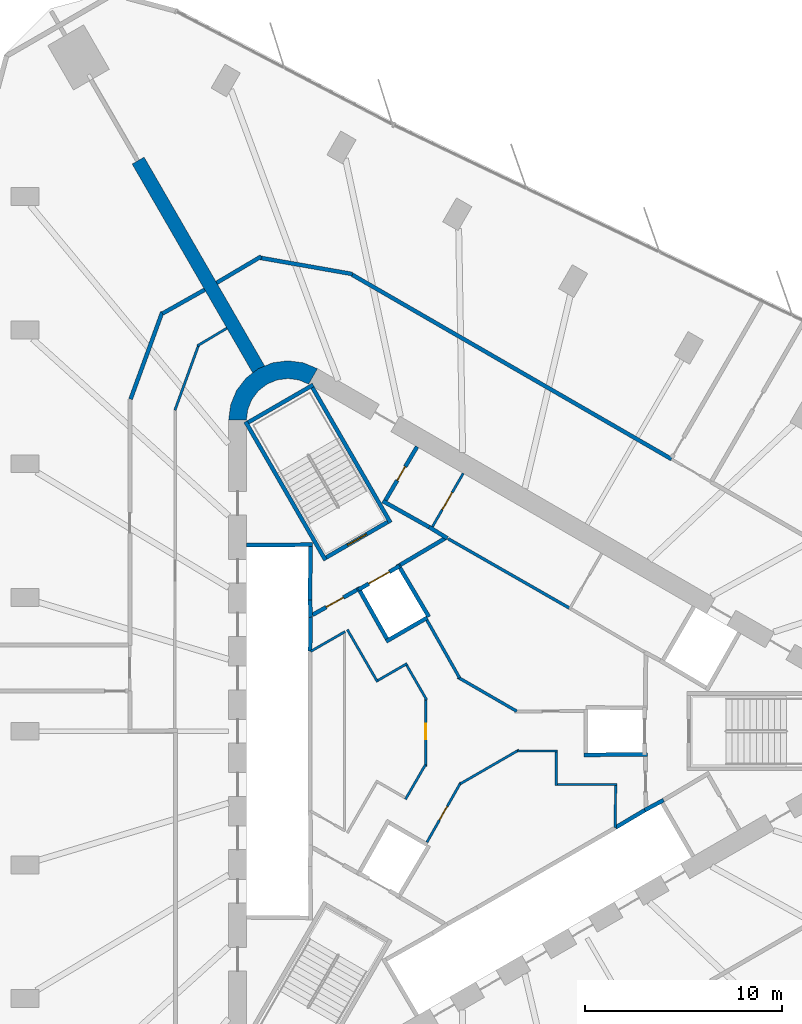
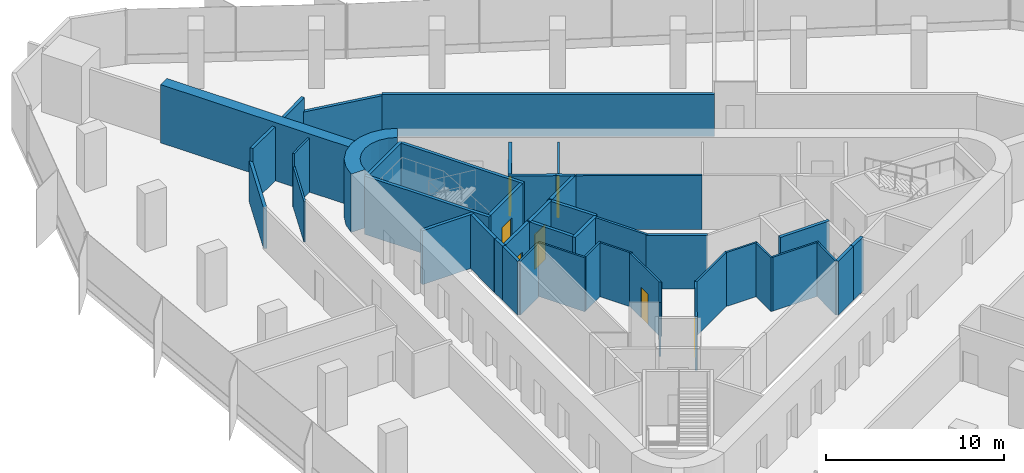
# One storey, part 10 of 13: 45 walls, 7 doors, 7 openings.
"""IFC4 building model written with IfcOpenShell, lengths in metres."""

from ifc_helpers import new_model, si_unit, direction, frame, frame_2d, origin, place, context, subcontext, project, spatial, polyline, rectangle, outline, extrude, material, layer, layer_set, type_object, element, fill, save


model = new_model("IFC4")

# Units and contexts
model_context = context("Model", 3, precision=1e-05, world=origin(), true_north=direction((0.0, 1.0)))
body_context = subcontext(model_context, "Body", "Model", "MODEL_VIEW")
ifc_project = project(units=[si_unit("LENGTHUNIT", "METRE"), si_unit("AREAUNIT", "SQUARE_METRE"), si_unit("VOLUMEUNIT", "CUBIC_METRE"), si_unit("PLANEANGLEUNIT", "RADIAN"), si_unit("MASSUNIT", "GRAM", prefix="KILO")], contexts=[model_context])

# Site, building, storey
site_placement = place(None, origin())
site = spatial("IfcSite", under=ifc_project, at=site_placement, CompositionType="ELEMENT")
building_placement = place(site_placement, origin())
building = spatial("IfcBuilding", under=site, at=building_placement, Name="Tanit Gate Tower", CompositionType="ELEMENT")
storey_placement = place(building_placement, frame((0.0, 0.0, 181.199951171875)))
storey = spatial("IfcBuildingStorey", under=building, at=storey_placement, Name="L39", CompositionType="ELEMENT", Elevation=181.199951171875)

# Walls
ifc_material_1 = material(Name="Concrete C50/60", Category="concrete")
ifc_layer_1 = layer(ifc_material_1, 0.699951171875)
ifc_layer_set_1 = layer_set([ifc_layer_1], Name="BUTTRESS FIN 700 C50/60")
wall_type_1 = type_object("IfcWallType", Name="BUTTRESS FIN 700 C50/60", PredefinedType="SHEAR", material=ifc_layer_set_1)
wall_1_placement = place(storey_placement, frame((-10.574951171875, 18.31640625, 0.0), z_axis=(0.0, 0.0, 1.0), x_axis=(-0.500002625756, 0.866023887798, 0.0)))
element("IfcWall", 1, at=wall_1_placement, inside=storey, type_object=wall_type_1, Name="BUTTRESS FIN", PredefinedType="SHEAR", context=body_context, shape_type="SweptSolid", body=[
    extrude(rectangle(XDim=12.2197265625, YDim=0.699951171875, at=frame_2d((6.10986328125, 0.0))), origin(), (0.0, 0.0, 1.0), 4.0),
])
ifc_material_2 = material(Name="Concrete C50/60", Category="concrete")
ifc_layer_2 = layer(ifc_material_2, 0.89990234375)
ifc_layer_set_2 = layer_set([ifc_layer_2], Name="CORE WALL 900 C50/60")
wall_type_2 = type_object("IfcWallType", Name="CORE WALL 900 C50/60", PredefinedType="SHEAR", material=ifc_layer_set_2)
wall_2_placement = place(storey_placement, origin())
element("IfcWall", 2, at=wall_2_placement, inside=storey, type_object=wall_type_2, Name="CORE WALL CORNER", PredefinedType="SHEAR", context=body_context, shape_type="SweptSolid", body=[
    extrude(outline(polyline([(-7.60009765625, 18.359619140625), (-8.323486328125, 18.659423828125), (-9.10009765625, 18.76171875), (-9.87646484375, 18.659423828125), (-10.60009765625, 18.359619140625), (-11.22119140625, 17.883056640625), (-11.697998046875, 17.26171875), (-11.997802734375, 16.5380859375), (-12.10009765625, 15.76171875), (-11.199951171875, 15.76171875), (-11.12841796875, 16.30517578125), (-10.918701171875, 16.811767578125), (-10.5849609375, 17.24658203125), (-10.14990234375, 17.580322265625), (-9.6435546875, 17.7900390625), (-9.10009765625, 17.86181640625), (-8.556396484375, 17.7900390625), (-8.050048828125, 17.580322265625), (-7.60009765625, 18.359619140625)])), origin(), (0.0, 0.0, 1.0), 4.0),
])
ifc_material_3 = material(Name="Fire-rated gypsum board partition")
ifc_layer_3 = layer(ifc_material_3, 0.199951171875)
ifc_layer_set_3 = layer_set([ifc_layer_3], Name="INT-WALL-COMPARTMENT")
wall_type_3 = type_object("IfcWallType", Name="INT-WALL-COMPARTMENT", PredefinedType="PARTITIONING", material=ifc_layer_set_3)
wall_3_placement = place(storey_placement, frame((-1.940673828125, 10.338623046875, 0.0), z_axis=(0.0, 0.0, 1.0), x_axis=(0.850216889117, -0.526432561171, 0.0)))
element("IfcWall", 3, at=wall_3_placement, inside=storey, type_object=wall_type_3, Name="Wall Compartment W053", PredefinedType="PARTITIONING", context=body_context, shape_type="SweptSolid", body=[
    extrude(rectangle(XDim=1.078369140625, YDim=0.199951171875, at=frame_2d((0.5390625, 0.0))), origin(), (0.0, 0.0, 1.0), 3.699951171875),
])
wall_4_placement = place(storey_placement, frame((-4.296142578125, 11.658935546875, 0.0), z_axis=(0.0, 0.0, 1.0), x_axis=(0.871534483978, -0.490334215854, 0.0)))
element("IfcWall", 4, at=wall_4_placement, inside=storey, type_object=wall_type_3, Name="Wall Compartment W055", PredefinedType="PARTITIONING", context=body_context, shape_type="SweptSolid", body=[
    extrude(rectangle(XDim=2.7001953125, YDim=0.199951171875, at=frame_2d((1.35009765625, 0.0))), origin(), (0.0, 0.0, 1.0), 3.699951171875),
])

# Wall, opening, door
wall_5_placement = place(storey_placement, frame((-2.557861328125, 14.409423828125, 0.0), z_axis=(0.0, 0.0, 1.0), x_axis=(-0.508018930956, -0.861345903683, 0.0)))
wall_5 = element("IfcWall", 5, at=wall_5_placement, inside=storey, type_object=wall_type_3, Name="Wall Compartment W056", PredefinedType="PARTITIONING", context=body_context, shape_type="SweptSolid", body=[
    extrude(rectangle(XDim=3.150146484375, YDim=0.199951171875, at=frame_2d((1.5751953125, 0.0))), origin(), (0.0, 0.0, 1.0), 3.699951171875),
])
opening_1_placement = place(wall_5_placement, frame((1.175048828125, 0.0, 0.0)))
opening_1 = element("IfcOpeningElement", 6, at=opening_1_placement, cuts=wall_5, Name="Opening R08-S10-15", PredefinedType="OPENING", context=body_context, shape_type="SweptSolid", body=[
    extrude(rectangle(XDim=0.800048828125, YDim=2.10009765625, at=frame_2d((0.39990234375, 1.050048828125))), frame((0.0, 0.10986328125, 0.0), z_axis=(0.0, -1.0, 0.0), x_axis=(1.0, 0.0, 0.0)), (0.0, 0.0, 1.0), 0.219970703125),
])
ifc_material_4 = material(Name="Timber door leaf", Category="wood")
door_type_1 = type_object("IfcDoorType", Name="INT-DOOR-RISER-800", OperationType="NOTDEFINED", PredefinedType="USERDEFINED", material=ifc_material_4)
door_1_placement = place(opening_1_placement, origin())
door_1 = element("IfcDoor", 7, at=door_1_placement, inside=storey, type_object=door_type_1, Name="Door R08-S10-15", ObjectType="FIRE DOOR", OperationType="SINGLE_SWING_RIGHT", OverallHeight=2.10009765625, OverallWidth=0.800048828125, PredefinedType="USERDEFINED", context=body_context, shape_type="SweptSolid", body=[
    extrude(rectangle(XDim=0.800048828125, YDim=2.10009765625, at=frame_2d((0.39990234375, 1.050048828125))), frame((0.0, 0.02490234375, 0.0), z_axis=(0.0, -1.0, 0.0), x_axis=(1.0, 0.0, 0.0)), (0.0, 0.0, 1.0), 0.050048828125),
])
fill(opening_1, door_1)

# Wall
wall_6_placement = place(storey_placement, frame((-1.0546875, 9.818359375, 0.0), z_axis=(0.0, 0.0, 1.0), x_axis=(-0.860614334655, -0.50925726994, 0.0)))
element("IfcWall", 8, at=wall_6_placement, inside=storey, type_object=wall_type_3, Name="Wall Compartment W061", PredefinedType="PARTITIONING", context=body_context, shape_type="SweptSolid", body=[
    extrude(rectangle(XDim=2.725830078125, YDim=0.199951171875, at=frame_2d((1.36279296875, 0.0))), origin(), (0.0, 0.0, 1.0), 3.699951171875),
])

# Wall, opening, door
wall_7_placement = place(storey_placement, frame((-5.600341796875, 7.16015625, 0.0), z_axis=(0.0, 0.0, 1.0), x_axis=(-0.871363259478, -0.490638431059, 0.0)))
wall_7 = element("IfcWall", 9, at=wall_7_placement, inside=storey, type_object=wall_type_3, Name="Wall Compartment W062", PredefinedType="PARTITIONING", context=body_context, shape_type="SweptSolid", body=[
    extrude(rectangle(XDim=2.5810546875, YDim=0.199951171875, at=frame_2d((1.29052734375, 0.0))), origin(), (0.0, 0.0, 1.0), 3.699951171875),
])
opening_2_placement = place(wall_7_placement, frame((0.79052734375, 0.0, 0.0)))
opening_2 = element("IfcOpeningElement", 10, at=opening_2_placement, cuts=wall_7, Name="Opening F10-S10-05", PredefinedType="OPENING", context=body_context, shape_type="SweptSolid", body=[
    extrude(rectangle(XDim=1.0, YDim=2.10009765625, at=frame_2d((0.5, 1.050048828125))), frame((0.0, 0.10986328125, 0.0), z_axis=(0.0, -1.0, 0.0), x_axis=(1.0, 0.0, 0.0)), (0.0, 0.0, 1.0), 0.219970703125),
])
ifc_material_5 = material(Name="Fire-rated steel door leaf", Category="steel")
door_type_2 = type_object("IfcDoorType", Name="INT-DOOR-FIRE-1000", OperationType="NOTDEFINED", PredefinedType="USERDEFINED", material=ifc_material_5)
door_2_placement = place(opening_2_placement, origin())
door_2 = element("IfcDoor", 11, at=door_2_placement, inside=storey, type_object=door_type_2, Name="Door F10-S10-05", ObjectType="FIRE DOOR", OperationType="SINGLE_SWING_LEFT", OverallHeight=2.10009765625, OverallWidth=1.0, PredefinedType="USERDEFINED", context=body_context, shape_type="SweptSolid", body=[
    extrude(rectangle(XDim=1.0, YDim=2.10009765625, at=frame_2d((0.5, 1.050048828125))), frame((0.0, 0.02490234375, 0.0), z_axis=(0.0, -1.0, 0.0), x_axis=(1.0, 0.0, 0.0)), (0.0, 0.0, 1.0), 0.050048828125),
])
fill(opening_2, door_2)

# Walls
wall_8_placement = place(storey_placement, frame((-15.456298828125, 21.238525390625, 0.0), z_axis=(0.0, 0.0, 1.0), x_axis=(-0.34205546997, -0.939679762187, 0.0)))
element("IfcWall", 12, at=wall_8_placement, inside=storey, type_object=wall_type_3, Name="Wall Compartment W091", PredefinedType="PARTITIONING", context=body_context, shape_type="SweptSolid", body=[
    extrude(rectangle(XDim=4.705810546875, YDim=0.199951171875, at=frame_2d((2.35302734375, 0.0))), origin(), (0.0, 0.0, 1.0), 2.780029296875),
])
wall_9_placement = place(storey_placement, frame((-13.31298828125, 22.35888671875, 0.0), z_axis=(0.0, 0.0, 1.0), x_axis=(-0.87121710687, -0.490897904555, 0.0)))
element("IfcWall", 13, at=wall_9_placement, inside=storey, type_object=wall_type_3, Name="Wall Compartment W092", PredefinedType="PARTITIONING", context=body_context, shape_type="SweptSolid", body=[
    extrude(rectangle(XDim=2.457275390625, YDim=0.199951171875, at=frame_2d((1.228515625, 0.0))), origin(), (0.0, 0.0, 1.0), 3.699951171875),
])
wall_10_placement = place(storey_placement, frame((-10.449462890625, 24.0439453125, 0.0), z_axis=(0.0, 0.0, 1.0), x_axis=(-0.860744847861, -0.509036645912, 0.0)))
element("IfcWall", 14, at=wall_10_placement, inside=storey, type_object=wall_type_3, Name="Wall Compartment W097", PredefinedType="PARTITIONING", context=body_context, shape_type="SweptSolid", body=[
    extrude(rectangle(XDim=2.62255859375, YDim=0.199951171875, at=frame_2d((1.311279296875, 0.0))), origin(), (0.0, 0.0, 1.0), 3.699951171875),
])
wall_11_placement = place(storey_placement, frame((-5.833740234375, 23.153076171875, 0.0), z_axis=(0.0, 0.0, 1.0), x_axis=(-0.98481258102, 0.173620794447, 0.0)))
element("IfcWall", 15, at=wall_11_placement, inside=storey, type_object=wall_type_3, Name="Wall Compartment W098", PredefinedType="PARTITIONING", context=body_context, shape_type="SweptSolid", body=[
    extrude(rectangle(XDim=4.740234375, YDim=0.199951171875, at=frame_2d((2.3701171875, 0.0))), origin(), (0.0, 0.0, 1.0), 2.780029296875),
])
wall_12_placement = place(storey_placement, frame((10.325439453125, 13.783935546875, 0.0), z_axis=(0.0, 0.0, 1.0), x_axis=(-0.866025119466, 0.500000492453, 0.0)))
element("IfcWall", 16, at=wall_12_placement, inside=storey, type_object=wall_type_3, Name="Wall Compartment W099", PredefinedType="PARTITIONING", context=body_context, shape_type="SweptSolid", body=[
    extrude(rectangle(XDim=18.6728515625, YDim=0.199951171875, at=frame_2d((9.33642578125, 0.0))), origin(), (0.0, 0.0, 1.0), 2.880126953125),
])

# Wall, opening, door
ifc_material_6 = material(Name="Gypsum board partition")
ifc_layer_4 = layer(ifc_material_6, 0.1201171875)
ifc_layer_set_4 = layer_set([ifc_layer_4], Name="INT-WALL-PARTITION")
wall_type_4 = type_object("IfcWallType", Name="INT-WALL-PARTITION", PredefinedType="PARTITIONING", material=ifc_layer_set_4)
wall_13_placement = place(storey_placement, frame((-0.2197265625, 13.0595703125, 0.0), z_axis=(0.0, 0.0, 1.0), x_axis=(-0.499984717929, -0.866034226713, 0.0)))
wall_13 = element("IfcWall", 17, at=wall_13_placement, inside=storey, type_object=wall_type_4, Name="Wall Partition W052", PredefinedType="PARTITIONING", context=body_context, shape_type="SweptSolid", body=[
    extrude(rectangle(XDim=3.25, YDim=0.1201171875, at=frame_2d((1.625, 0.0))), origin(), (0.0, 0.0, 1.0), 3.699951171875),
])
opening_3_placement = place(wall_13_placement, frame((1.125, 0.0, 0.0)))
opening_3 = element("IfcOpeningElement", 18, at=opening_3_placement, cuts=wall_13, Name="Opening D10-S10-31", PredefinedType="OPENING", context=body_context, shape_type="SweptSolid", body=[
    extrude(rectangle(XDim=1.0, YDim=2.10009765625, at=frame_2d((0.5, 1.050048828125))), frame((0.0, 0.070068359375, 0.0), z_axis=(0.0, -1.0, 0.0), x_axis=(1.0, 0.0, 0.0)), (0.0, 0.0, 1.0), 0.14013671875),
])
ifc_material_7 = material(Name="Timber door leaf", Category="wood")
door_type_3 = type_object("IfcDoorType", Name="INT-DOOR-SINGLE-1000", OperationType="NOTDEFINED", PredefinedType="NOTDEFINED", material=ifc_material_7)
door_3_placement = place(opening_3_placement, origin())
door_3 = element("IfcDoor", 19, at=door_3_placement, inside=storey, type_object=door_type_3, Name="Door D10-S10-31", OperationType="SINGLE_SWING_LEFT", OverallHeight=2.10009765625, OverallWidth=1.0, PredefinedType="NOTDEFINED", context=body_context, shape_type="SweptSolid", body=[
    extrude(rectangle(XDim=1.0, YDim=2.10009765625, at=frame_2d((0.5, 1.050048828125))), frame((0.0, 0.02490234375, 0.0), z_axis=(0.0, -1.0, 0.0), x_axis=(1.0, 0.0, 0.0)), (0.0, 0.0, 1.0), 0.050048828125),
])
fill(opening_3, door_3)

wall_14_placement = place(storey_placement, frame((-0.339599609375, -2.58642578125, 0.0), z_axis=(0.0, 0.0, 1.0), x_axis=(-0.492647196214, -0.870229130782, 0.0)))
wall_14 = element("IfcWall", 20, at=wall_14_placement, inside=storey, type_object=wall_type_4, Name="Wall Partition W068", PredefinedType="PARTITIONING", context=body_context, shape_type="SweptSolid", body=[
    extrude(rectangle(XDim=3.490234375, YDim=0.1201171875, at=frame_2d((1.7451171875, 0.0))), origin(), (0.0, 0.0, 1.0), 3.699951171875),
])
opening_4_placement = place(wall_14_placement, frame((1.396240234375, 0.0, 0.0)))
opening_4 = element("IfcOpeningElement", 21, at=opening_4_placement, cuts=wall_14, Name="Opening R08-S10-11", PredefinedType="OPENING", context=body_context, shape_type="SweptSolid", body=[
    extrude(rectangle(XDim=0.800048828125, YDim=2.10009765625, at=frame_2d((0.39990234375, 1.050048828125))), frame((0.0, 0.070068359375, 0.0), z_axis=(0.0, -1.0, 0.0), x_axis=(1.0, 0.0, 0.0)), (0.0, 0.0, 1.0), 0.14013671875),
])
door_4_placement = place(opening_4_placement, origin())
door_4 = element("IfcDoor", 22, at=door_4_placement, inside=storey, type_object=door_type_1, Name="Door R08-S10-11", ObjectType="FIRE DOOR", OperationType="SINGLE_SWING_RIGHT", OverallHeight=2.10009765625, OverallWidth=0.800048828125, PredefinedType="USERDEFINED", context=body_context, shape_type="SweptSolid", body=[
    extrude(rectangle(XDim=0.800048828125, YDim=2.10009765625, at=frame_2d((0.39990234375, 1.050048828125))), frame((0.0, 0.02490234375, 0.0), z_axis=(0.0, -1.0, 0.0), x_axis=(1.0, 0.0, 0.0)), (0.0, 0.0, 1.0), 0.050048828125),
])
fill(opening_4, door_4)

# Walls
wall_15_placement = place(storey_placement, frame((2.6015625, -0.947998046875, 0.0), z_axis=(0.0, 0.0, 1.0), x_axis=(-0.866025804792, -0.499999305434, 0.0)))
element("IfcWall", 23, at=wall_15_placement, inside=storey, type_object=wall_type_4, Name="Wall Partition W069", PredefinedType="PARTITIONING", context=body_context, shape_type="SweptSolid", body=[
    extrude(rectangle(XDim=3.43505859375, YDim=0.1201171875, at=frame_2d((1.717529296875, 0.0))), origin(), (0.0, 0.0, 1.0), 3.699951171875),
])
wall_16_placement = place(storey_placement, frame((4.56005859375, -1.0, 0.0), z_axis=(0.0, 0.0, 1.0), x_axis=(-1.0, 0.0, 0.0)))
element("IfcWall", 24, at=wall_16_placement, inside=storey, type_object=wall_type_4, Name="Wall Partition W070", PredefinedType="PARTITIONING", context=body_context, shape_type="SweptSolid", body=[
    extrude(rectangle(XDim=2.030029296875, YDim=0.1201171875, at=frame_2d((1.01513671875, 0.0))), origin(), (0.0, 0.0, 1.0), 3.699951171875),
])
wall_17_placement = place(storey_placement, frame((4.5, -2.760009765625, 0.0), z_axis=(0.0, 0.0, 1.0), x_axis=(0.0, 1.0, 0.0)))
element("IfcWall", 25, at=wall_17_placement, inside=storey, type_object=wall_type_4, Name="Wall Partition W071", PredefinedType="PARTITIONING", context=body_context, shape_type="SweptSolid", body=[
    extrude(rectangle(XDim=1.699951171875, YDim=0.1201171875, at=frame_2d((0.85009765625, 0.0))), origin(), (0.0, 0.0, 1.0), 3.699951171875),
])
wall_18_placement = place(storey_placement, frame((7.56005859375, -2.699951171875, 0.0), z_axis=(0.0, 0.0, 1.0), x_axis=(-1.0, 0.0, 0.0)))
element("IfcWall", 26, at=wall_18_placement, inside=storey, type_object=wall_type_4, Name="Wall Partition W072", PredefinedType="PARTITIONING", context=body_context, shape_type="SweptSolid", body=[
    extrude(rectangle(XDim=3.0, YDim=0.1201171875, at=frame_2d((1.5, 0.0))), origin(), (0.0, 0.0, 1.0), 3.699951171875),
])
wall_19_placement = place(storey_placement, frame((7.474609375, -4.864501953125, 0.0), z_axis=(0.0, 0.0, 1.0), x_axis=(0.011716133148, 0.999931363757, 0.0)))
element("IfcWall", 27, at=wall_19_placement, inside=storey, type_object=wall_type_4, Name="Wall Partition W073", PredefinedType="PARTITIONING", context=body_context, shape_type="SweptSolid", body=[
    extrude(rectangle(XDim=2.104736328125, YDim=0.1201171875, at=frame_2d((1.05224609375, 0.0))), origin(), (0.0, 0.0, 1.0), 3.699951171875),
])
wall_20_placement = place(storey_placement, frame((-6.201416015625, 5.045654296875, 0.0), z_axis=(0.0, 0.0, 1.0), x_axis=(-0.867071050325, -0.498184497639, 0.0)))
element("IfcWall", 28, at=wall_20_placement, inside=storey, type_object=wall_type_4, Name="Wall Partition W076", PredefinedType="PARTITIONING", context=body_context, shape_type="SweptSolid", body=[
    extrude(rectangle(XDim=2.0166015625, YDim=0.1201171875, at=frame_2d((1.00830078125, 0.0))), origin(), (0.0, 0.0, 1.0), 3.699951171875),
])
wall_21_placement = place(storey_placement, frame((-4.558349609375, 2.4951171875, 0.0), z_axis=(0.0, 0.0, 1.0), x_axis=(-0.499991792115, 0.866030142557, 0.0)))
element("IfcWall", 29, at=wall_21_placement, inside=storey, type_object=wall_type_4, Name="Wall Partition W077", PredefinedType="PARTITIONING", context=body_context, shape_type="SweptSolid", body=[
    extrude(rectangle(XDim=3.06005859375, YDim=0.1201171875, at=frame_2d((1.530029296875, 0.0))), origin(), (0.0, 0.0, 1.0), 3.699951171875),
])
wall_22_placement = place(storey_placement, frame((-3.06396484375, 3.427001953125, 0.0), z_axis=(0.0, 0.0, 1.0), x_axis=(-0.866087547558, -0.499892348375, 0.0)))
element("IfcWall", 30, at=wall_22_placement, inside=storey, type_object=wall_type_4, Name="Wall Partition W078", PredefinedType="PARTITIONING", context=body_context, shape_type="SweptSolid", body=[
    extrude(rectangle(XDim=1.699951171875, YDim=0.1201171875, at=frame_2d((0.85009765625, 0.0))), origin(), (0.0, 0.0, 1.0), 3.699951171875),
])
wall_23_placement = place(storey_placement, frame((-2.06982421875, 1.5849609375, 0.0), z_axis=(0.0, 0.0, 1.0), x_axis=(-0.499937346687, 0.86606157367, 0.0)))
element("IfcWall", 31, at=wall_23_placement, inside=storey, type_object=wall_type_4, Name="Wall Partition W079", PredefinedType="PARTITIONING", context=body_context, shape_type="SweptSolid", body=[
    extrude(rectangle(XDim=2.032470703125, YDim=0.1201171875, at=frame_2d((1.01611328125, 0.0))), origin(), (0.0, 0.0, 1.0), 3.699951171875),
])

# Wall, opening, door
wall_24_placement = place(storey_placement, frame((-2.121826171875, -1.77880859375, 0.0), z_axis=(0.0, 0.0, 1.0), x_axis=(0.0, 1.0, 0.0)))
wall_24 = element("IfcWall", 32, at=wall_24_placement, inside=storey, type_object=wall_type_4, Name="Wall Partition W080", PredefinedType="PARTITIONING", context=body_context, shape_type="SweptSolid", body=[
    extrude(rectangle(XDim=3.435302734375, YDim=0.1201171875, at=frame_2d((1.7177734375, 0.0))), origin(), (0.0, 0.0, 1.0), 3.699951171875),
])
opening_5_placement = place(wall_24_placement, frame((1.36962890625, 0.0, 0.0)))
opening_5 = element("IfcOpeningElement", 33, at=opening_5_placement, cuts=wall_24, Name="Opening R08-S10-13", PredefinedType="OPENING", context=body_context, shape_type="SweptSolid", body=[
    extrude(rectangle(XDim=0.800048828125, YDim=2.10009765625, at=frame_2d((0.39990234375, 1.050048828125))), frame((0.0, 0.070068359375, 0.0), z_axis=(0.0, -1.0, 0.0), x_axis=(1.0, 0.0, 0.0)), (0.0, 0.0, 1.0), 0.14013671875),
])
door_5_placement = place(opening_5_placement, origin())
door_5 = element("IfcDoor", 34, at=door_5_placement, inside=storey, type_object=door_type_1, Name="Door R08-S10-13", ObjectType="FIRE DOOR", OperationType="SINGLE_SWING_RIGHT", OverallHeight=2.10009765625, OverallWidth=0.800048828125, PredefinedType="USERDEFINED", context=body_context, shape_type="SweptSolid", body=[
    extrude(rectangle(XDim=0.800048828125, YDim=2.10009765625, at=frame_2d((0.39990234375, 1.050048828125))), frame((0.0, 0.02490234375, 0.0), z_axis=(0.0, -1.0, 0.0), x_axis=(1.0, 0.0, 0.0)), (0.0, 0.0, 1.0), 0.050048828125),
])
fill(opening_5, door_5)

# Walls
wall_25_placement = place(storey_placement, frame((-3.14599609375, -3.448974609375, 0.0), z_axis=(0.0, 0.0, 1.0), x_axis=(0.500007041985, 0.866021338054, 0.0)))
element("IfcWall", 35, at=wall_25_placement, inside=storey, type_object=wall_type_4, Name="Wall Partition W081", PredefinedType="PARTITIONING", context=body_context, shape_type="SweptSolid", body=[
    extrude(rectangle(XDim=2.02978515625, YDim=0.1201171875, at=frame_2d((1.014892578125, 0.0))), origin(), (0.0, 0.0, 1.0), 3.699951171875),
])
wall_26_placement = place(storey_placement, frame((-12.188720703125, 20.411376953125, 0.0), z_axis=(0.0, 0.0, 1.0), x_axis=(-0.858492721014, -0.51282574815, 0.0)))
element("IfcWall", 36, at=wall_26_placement, inside=storey, type_object=wall_type_4, Name="Wall Partition W084", PredefinedType="PARTITIONING", context=body_context, shape_type="SweptSolid", body=[
    extrude(rectangle(XDim=1.742431640625, YDim=0.1201171875, at=frame_2d((0.87109375, 0.0))), origin(), (0.0, 0.0, 1.0), 3.699951171875),
])
wall_27_placement = place(storey_placement, frame((-13.630615234375, 19.529541015625, 0.0), z_axis=(0.0, 0.0, 1.0), x_axis=(-0.342069878069, -0.939674517329, 0.0)))
element("IfcWall", 37, at=wall_27_placement, inside=storey, type_object=wall_type_4, Name="Wall Partition W085", PredefinedType="PARTITIONING", context=body_context, shape_type="SweptSolid", body=[
    extrude(rectangle(XDim=3.478759765625, YDim=0.1201171875, at=frame_2d((1.7392578125, 0.0))), origin(), (0.0, 0.0, 1.0), 2.780029296875),
])
ifc_material_8 = material(Name="Fire-rated gypsum board partition")
ifc_layer_5 = layer(ifc_material_8, 0.14990234375)
ifc_layer_set_5 = layer_set([ifc_layer_5], Name="INT-WALL-RISER")
wall_type_5 = type_object("IfcWallType", Name="INT-WALL-RISER", PredefinedType="PLUMBINGWALL", material=ifc_layer_set_5)
wall_28_placement = place(storey_placement, frame((5.1591796875, 6.23583984375, 0.0), z_axis=(0.0, 0.0, 1.0), x_axis=(-0.868105023632, 0.496380567654, 0.0)))
element("IfcWall", 38, at=wall_28_placement, inside=storey, type_object=wall_type_5, Name="Wall Riser W054", PredefinedType="PLUMBINGWALL", context=body_context, shape_type="SweptSolid", body=[
    extrude(rectangle(XDim=7.072265625, YDim=0.14990234375, at=frame_2d((3.5361328125, 0.0))), origin(), (0.0, 0.0, 1.0), 3.699951171875),
])
wall_29_placement = place(storey_placement, frame((-0.5, 2.73876953125, 0.0), z_axis=(0.0, 0.0, 1.0), x_axis=(0.866029020252, -0.499993736042, 0.0)))
element("IfcWall", 39, at=wall_29_placement, inside=storey, type_object=wall_type_5, Name="Wall Riser W066", PredefinedType="PLUMBINGWALL", context=body_context, shape_type="SweptSolid", body=[
    extrude(rectangle(XDim=3.45361328125, YDim=0.14990234375, at=frame_2d((1.726806640625, 0.0))), origin(), (0.0, 0.0, 1.0), 3.699951171875),
])
wall_30_placement = place(storey_placement, frame((-2.05908203125, 5.623779296875, 0.0), z_axis=(0.0, 0.0, 1.0), x_axis=(0.49265005812, -0.870227510617, 0.0)))
element("IfcWall", 40, at=wall_30_placement, inside=storey, type_object=wall_type_5, Name="Wall Riser W067", PredefinedType="PLUMBINGWALL", context=body_context, shape_type="SweptSolid", body=[
    extrude(rectangle(XDim=3.364990234375, YDim=0.14990234375, at=frame_2d((1.6826171875, 0.0))), origin(), (0.0, 0.0, 1.0), 3.699951171875),
])
ifc_material_9 = material(Name="Gypsum shaft wall system")
ifc_layer_6 = layer(ifc_material_9, 0.199951171875)
ifc_layer_set_6 = layer_set([ifc_layer_6], Name="INT-WALL-SHAFT")
wall_type_6 = type_object("IfcWallType", Name="INT-WALL-SHAFT", PredefinedType="PLUMBINGWALL", material=ifc_layer_set_6)
wall_31_placement = place(storey_placement, frame((-11.199951171875, 9.419921875, 0.0), z_axis=(0.0, 0.0, 1.0), x_axis=(0.999957167047, 0.009255488683, 0.0)))
element("IfcWall", 41, at=wall_31_placement, inside=storey, type_object=wall_type_6, Name="Wall Shaft W001", PredefinedType="PLUMBINGWALL", context=body_context, shape_type="SweptSolid", body=[
    extrude(rectangle(XDim=3.35009765625, YDim=0.199951171875, at=frame_2d((1.675048828125, 0.0))), origin(), (0.0, 0.0, 1.0), 3.699951171875),
])
wall_32_placement = place(storey_placement, frame((-7.951171875, 9.35009765625, 0.0), z_axis=(0.0, 0.0, 1.0), x_axis=(-0.011120469654, -0.999938165666, 0.0)))
element("IfcWall", 42, at=wall_32_placement, inside=storey, type_object=wall_type_6, Name="Wall Shaft W002", PredefinedType="PLUMBINGWALL", context=body_context, shape_type="SweptSolid", body=[
    extrude(rectangle(XDim=2.700439453125, YDim=0.199951171875, at=frame_2d((1.35009765625, 0.0))), origin(), (0.0, 0.0, 1.0), 3.699951171875),
])
wall_33_placement = place(storey_placement, frame((-7.97705078125, 6.650146484375, 0.0), z_axis=(0.0, 0.0, 1.0), x_axis=(0.030861509705, -0.999523670164, 0.0)))
element("IfcWall", 43, at=wall_33_placement, inside=storey, type_object=wall_type_6, Name="Wall Shaft W003", PredefinedType="PLUMBINGWALL", context=body_context, shape_type="SweptSolid", body=[
    extrude(rectangle(XDim=0.878173828125, YDim=0.199951171875, at=frame_2d((0.43896484375, 0.0))), origin(), (0.0, 0.0, 1.0), 3.699951171875),
])
wall_34_placement = place(storey_placement, frame((-7.94921875, 5.894775390625, 0.0), z_axis=(0.0, 0.0, 1.0), x_axis=(-0.012042535896, -0.999927486035, 0.0)))
element("IfcWall", 44, at=wall_34_placement, inside=storey, type_object=wall_type_6, Name="Wall Shaft W004", PredefinedType="PLUMBINGWALL", context=body_context, shape_type="SweptSolid", body=[
    extrude(rectangle(XDim=1.844970703125, YDim=0.199951171875, at=frame_2d((0.92236328125, 0.0))), origin(), (0.0, 0.0, 1.0), 3.699951171875),
])
wall_35_placement = place(storey_placement, frame((8.97412109375, -3.998779296875, 0.0), z_axis=(0.0, 0.0, 1.0), x_axis=(0.880907015104, 0.473289373154, 0.0)))
element("IfcWall", 45, at=wall_35_placement, inside=storey, type_object=wall_type_6, Name="Wall Shaft W017", PredefinedType="PLUMBINGWALL", context=body_context, shape_type="SweptSolid", body=[
    extrude(rectangle(XDim=1.078125, YDim=0.199951171875, at=frame_2d((0.5390625, 0.0))), origin(), (0.0, 0.0, 1.0), 3.699951171875),
])
wall_36_placement = place(storey_placement, frame((7.4931640625, -4.87841796875, 0.0), z_axis=(0.0, 0.0, 1.0), x_axis=(0.859981807212, 0.510324691999, 0.0)))
element("IfcWall", 46, at=wall_36_placement, inside=storey, type_object=wall_type_6, Name="Wall Shaft W018", PredefinedType="PLUMBINGWALL", context=body_context, shape_type="SweptSolid", body=[
    extrude(rectangle(XDim=1.8447265625, YDim=0.199951171875, at=frame_2d((0.92236328125, 0.0))), origin(), (0.0, 0.0, 1.0), 3.699951171875),
])
wall_37_placement = place(storey_placement, frame((5.89990234375, -1.200927734375, 0.0), z_axis=(0.0, 0.0, 1.0), x_axis=(0.999950064753, 0.009993397809, 0.0)))
element("IfcWall", 47, at=wall_37_placement, inside=storey, type_object=wall_type_6, Name="Wall Shaft W031", PredefinedType="PLUMBINGWALL", context=body_context, shape_type="SweptSolid", body=[
    extrude(rectangle(XDim=3.200439453125, YDim=0.199951171875, at=frame_2d((1.60009765625, 0.0))), origin(), (0.0, 0.0, 1.0), 3.699951171875),
])

# Wall, opening, door
wall_38_placement = place(storey_placement, frame((-5.524169921875, 7.168212890625, 0.0), z_axis=(0.0, 0.0, 1.0), x_axis=(0.866024647952, 0.500001309137, 0.0)))
wall_38 = element("IfcWall", 48, at=wall_38_placement, inside=storey, type_object=wall_type_6, Name="Wall Shaft W037", PredefinedType="PLUMBINGWALL", context=body_context, shape_type="SweptSolid", body=[
    extrude(rectangle(XDim=2.39990234375, YDim=0.199951171875, at=frame_2d((1.199951171875, 0.0))), origin(), (0.0, 0.0, 1.0), 3.699951171875),
])
opening_6_placement = place(wall_38_placement, frame((0.60009765625, 0.0, 0.0)))
opening_6 = element("IfcOpeningElement", 49, at=opening_6_placement, cuts=wall_38, Name="Opening LDFL2-L39", PredefinedType="OPENING", context=body_context, shape_type="SweptSolid", body=[
    extrude(rectangle(XDim=1.199951171875, YDim=2.39990234375, at=frame_2d((0.60009765625, 1.199951171875))), frame((0.0, 0.10986328125, 0.0), z_axis=(0.0, -1.0, 0.0), x_axis=(1.0, 0.0, 0.0)), (0.0, 0.0, 1.0), 0.219970703125),
])
ifc_material_10 = material(Name="Stainless steel sliding door leaf", Category="steel")
door_type_4 = type_object("IfcDoorType", Name="INT-DOOR-LANDING-1200", OperationType="NOTDEFINED", PredefinedType="USERDEFINED", material=ifc_material_10)
door_6_placement = place(opening_6_placement, origin())
door_6 = element("IfcDoor", 50, at=door_6_placement, inside=storey, type_object=door_type_4, Name="Door LDFL2-L39", ObjectType="LANDING DOOR", OperationType="SLIDING_TO_LEFT", OverallHeight=2.39990234375, OverallWidth=1.199951171875, PredefinedType="USERDEFINED", context=body_context, shape_type="SweptSolid", body=[
    extrude(rectangle(XDim=1.199951171875, YDim=2.39990234375, at=frame_2d((0.60009765625, 1.199951171875))), frame((0.0, 0.02490234375, 0.0), z_axis=(0.0, -1.0, 0.0), x_axis=(1.0, 0.0, 0.0)), (0.0, 0.0, 1.0), 0.050048828125),
])
fill(opening_6, door_6)

# Walls
wall_39_placement = place(storey_placement, frame((-3.53759765625, 8.46533203125, 0.0), z_axis=(0.0, 0.0, 1.0), x_axis=(0.508647062354, -0.860975125052, 0.0)))
element("IfcWall", 51, at=wall_39_placement, inside=storey, type_object=wall_type_6, Name="Wall Shaft W038", PredefinedType="PLUMBINGWALL", context=body_context, shape_type="SweptSolid", body=[
    extrude(rectangle(XDim=3.10009765625, YDim=0.199951171875, at=frame_2d((1.550048828125, 0.0))), origin(), (0.0, 0.0, 1.0), 3.699951171875),
])
wall_40_placement = place(storey_placement, frame((-2.04345703125, 5.748291015625, 0.0), z_axis=(0.0, 0.0, 1.0), x_axis=(-0.866035096217, -0.499983211839, 0.0)))
element("IfcWall", 52, at=wall_40_placement, inside=storey, type_object=wall_type_6, Name="Wall Shaft W039", PredefinedType="PLUMBINGWALL", context=body_context, shape_type="SweptSolid", body=[
    extrude(rectangle(XDim=2.404296875, YDim=0.199951171875, at=frame_2d((1.2021484375, 0.0))), origin(), (0.0, 0.0, 1.0), 3.699951171875),
])
wall_41_placement = place(storey_placement, frame((-5.5625, 7.29638671875, 0.0), z_axis=(0.0, 0.0, 1.0), x_axis=(0.49134651263, -0.870964180966, 0.0)))
element("IfcWall", 53, at=wall_41_placement, inside=storey, type_object=wall_type_6, Name="Wall Shaft W040", PredefinedType="PLUMBINGWALL", context=body_context, shape_type="SweptSolid", body=[
    extrude(rectangle(XDim=3.000244140625, YDim=0.199951171875, at=frame_2d((1.5, 0.0))), origin(), (0.0, 0.0, 1.0), 3.699951171875),
])
ifc_material_11 = material(Name="Concrete C40/50", Category="concrete")
ifc_layer_7 = layer(ifc_material_11, 0.199951171875)
ifc_layer_set_7 = layer_set([ifc_layer_7], Name="INT-WALL-STAIR")
wall_type_7 = type_object("IfcWallType", Name="INT-WALL-STAIR", PredefinedType="SHEAR", material=ifc_layer_set_7)
wall_42_placement = place(storey_placement, frame((-11.245361328125, 15.677734375, -0.300048828125), z_axis=(0.0, 0.0, 1.0), x_axis=(0.499977274689, -0.866038523851, 0.0)))
element("IfcWall", 54, at=wall_42_placement, inside=storey, type_object=wall_type_7, Name="Wall Stair W033", PredefinedType="SHEAR", context=body_context, shape_type="SweptSolid", body=[
    extrude(rectangle(XDim=8.10009765625, YDim=0.199951171875, at=frame_2d((4.050048828125, 0.0))), origin(), (0.0, 0.0, 1.0), 4.0),
])
wall_43_placement = place(storey_placement, frame((-7.81787109375, 17.541015625, -0.300048828125), z_axis=(0.0, 0.0, 1.0), x_axis=(-0.866044365799, -0.499967155389, 0.0)))
element("IfcWall", 55, at=wall_43_placement, inside=storey, type_object=wall_type_7, Name="Wall Stair W034", PredefinedType="SHEAR", context=body_context, shape_type="SweptSolid", body=[
    extrude(rectangle(XDim=3.800048828125, YDim=0.199951171875, at=frame_2d((1.89990234375, 0.0))), origin(), (0.0, 0.0, 1.0), 4.0),
])
wall_44_placement = place(storey_placement, frame((-7.8544921875, 17.404541015625, -0.300048828125), z_axis=(0.0, 0.0, 1.0), x_axis=(0.499997992926, -0.866026562566, 0.0)))
element("IfcWall", 56, at=wall_44_placement, inside=storey, type_object=wall_type_7, Name="Wall Stair W035", PredefinedType="SHEAR", context=body_context, shape_type="SweptSolid", body=[
    extrude(rectangle(XDim=7.89990234375, YDim=0.199951171875, at=frame_2d((3.949951171875, 0.0))), origin(), (0.0, 0.0, 1.0), 4.0),
])

# Wall, opening, door
wall_45_placement = place(storey_placement, frame((-7.158935546875, 8.799560546875, -0.300048828125), z_axis=(0.0, 0.0, 1.0), x_axis=(0.866047807691, 0.499961193289, 0.0)))
wall_45 = element("IfcWall", 57, at=wall_45_placement, inside=storey, type_object=wall_type_7, Name="Wall Stair W036", PredefinedType="SHEAR", context=body_context, shape_type="SweptSolid", body=[
    extrude(rectangle(XDim=3.599853515625, YDim=0.199951171875, at=frame_2d((1.7998046875, 0.0))), origin(), (0.0, 0.0, 1.0), 4.0),
])
opening_7_placement = place(wall_45_placement, frame((1.25, 0.0, 0.300048828125)))
opening_7 = element("IfcOpeningElement", 58, at=opening_7_placement, cuts=wall_45, Name="Opening S11-S10-04", PredefinedType="OPENING", context=body_context, shape_type="SweptSolid", body=[
    extrude(rectangle(XDim=1.10009765625, YDim=2.10009765625, at=frame_2d((0.550048828125, 1.050048828125))), frame((0.0, 0.10986328125, 0.0), z_axis=(0.0, -1.0, 0.0), x_axis=(1.0, 0.0, 0.0)), (0.0, 0.0, 1.0), 0.219970703125),
])
ifc_material_12 = material(Name="Timber door leaf", Category="wood")
door_type_5 = type_object("IfcDoorType", Name="INT-DOOR-STAIR-1100", OperationType="NOTDEFINED", PredefinedType="USERDEFINED", material=ifc_material_12)
door_7_placement = place(opening_7_placement, origin())
door_7 = element("IfcDoor", 59, at=door_7_placement, inside=storey, type_object=door_type_5, Name="Door S11-S10-04", ObjectType="FIRE DOOR", OperationType="SINGLE_SWING_LEFT", OverallHeight=2.10009765625, OverallWidth=1.10009765625, PredefinedType="USERDEFINED", context=body_context, shape_type="SweptSolid", body=[
    extrude(rectangle(XDim=1.10009765625, YDim=2.10009765625, at=frame_2d((0.550048828125, 1.050048828125))), frame((0.0, 0.02490234375, 0.0), z_axis=(0.0, -1.0, 0.0), x_axis=(1.0, 0.0, 0.0)), (0.0, 0.0, 1.0), 0.050048828125),
])
fill(opening_7, door_7)

save(model, "model.ifc")
